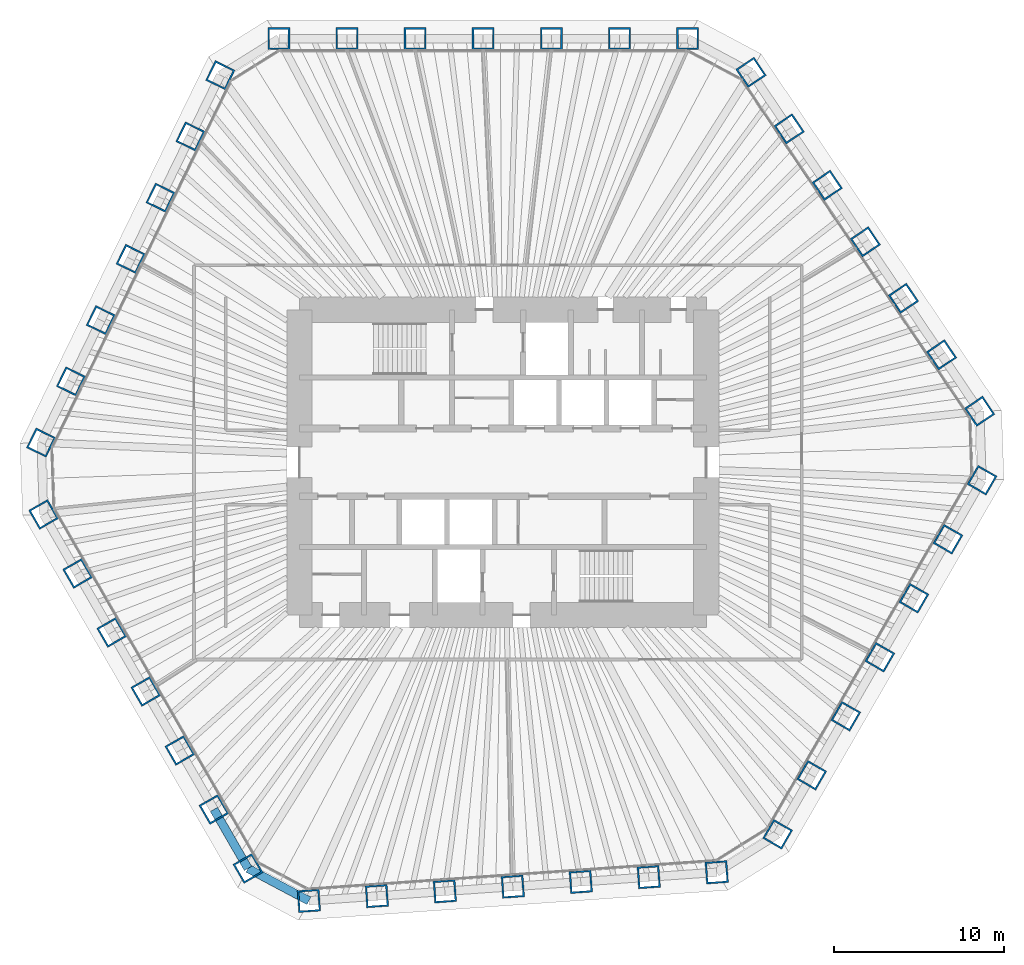
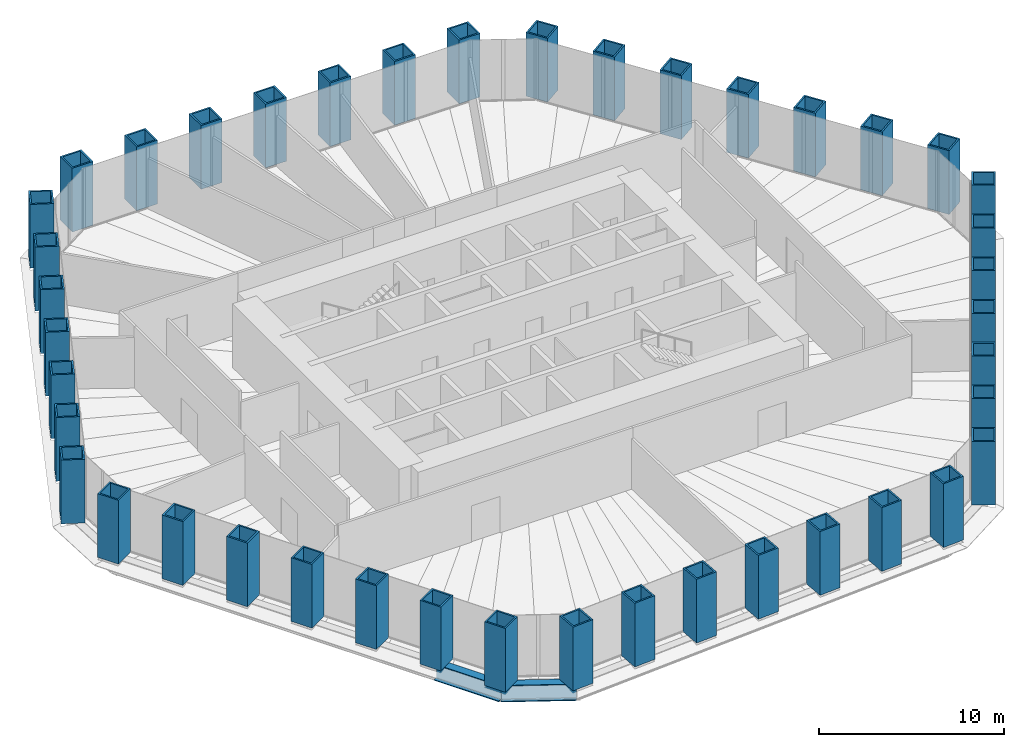
# One storey, part 1 of 13: 42 columns, 2 beams.
"""IFC4 building model written with IfcOpenShell, lengths in metres."""

from ifc_helpers import new_model, si_unit, direction, frame, origin, origin_2d, place, context, subcontext, project, spatial, hollow_rectangle, i_section, extrude, material, material_profile, profile_set, type_object, element, save


model = new_model("IFC4")

# Units and contexts
model_context = context("Model", 3, precision=1e-05, world=origin(), true_north=direction((0.0, 1.0)))
body_context = subcontext(model_context, "Body", "Model", "MODEL_VIEW")
ifc_project = project(units=[si_unit("LENGTHUNIT", "METRE"), si_unit("AREAUNIT", "SQUARE_METRE"), si_unit("VOLUMEUNIT", "CUBIC_METRE"), si_unit("PLANEANGLEUNIT", "RADIAN"), si_unit("MASSUNIT", "GRAM", prefix="KILO")], contexts=[model_context])

# Site, building, storey
site_placement = place(None, origin())
site = spatial("IfcSite", under=ifc_project, at=site_placement, CompositionType="ELEMENT")
building_placement = place(site_placement, origin())
building = spatial("IfcBuilding", under=site, at=building_placement, Name="Qingtian Harvest Tower", CompositionType="ELEMENT")
storey_placement = place(building_placement, frame((0.0, 0.0, 140.800048828125)))
storey = spatial("IfcBuildingStorey", under=building, at=storey_placement, Name="L29", CompositionType="ELEMENT", Elevation=140.800048828125)

# Columns
ifc_material_1 = material(Name="Steel SM570MC", Category="steel")
ifc_material_profile_1 = material_profile(ifc_material_1, hollow_rectangle(XDim=1.300048828125, YDim=1.300048828125, WallThickness=0.10009765625, at=origin_2d()), Name="BOX1300x1300x100")
ifc_profile_set_1 = profile_set([ifc_material_profile_1], Name="Steel SM570MC")
column_type = type_object("IfcColumnType", Name="Tube column TC4 BOX1300x1300x100", PredefinedType="COLUMN", material=ifc_profile_set_1)
for number, where, z_axis, x_axis, name in (
    (1, (-13.2216796875, 25.0, 0.0), (0.0, 0.0, 1.0), (-1.0, 0.0, 0.0), "Tube column TC4 N0"),
    (2, (-9.20263671875, 25.0, 0.0), (0.0, 0.0, 1.0), (-1.0, 0.0, 0.0), "Tube column TC4 N1"),
    (3, (-5.18359375, 25.0, 0.0), (0.0, 0.0, 1.0), (-1.0, 0.0, 0.0), "Tube column TC4 N2"),
    (4, (-1.16455078125, 25.0, 0.0), (0.0, 0.0, 1.0), (-1.0, 0.0, 0.0), "Tube column TC4 N3"),
    (5, (2.8544921875, 25.0, 0.0), (0.0, 0.0, 1.0), (-1.0, 0.0, 0.0), "Tube column TC4 N4"),
    (6, (6.873779296875, 25.0, 0.0), (0.0, 0.0, 1.0), (-1.0, 0.0, 0.0), "Tube column TC4 N5"),
    (7, (10.892822265625, 25.0, 0.0), (0.0, 0.0, 1.0), (-1.0, 0.0, 0.0), "Tube column TC4 N6"),
    (8, (14.634765625, 23.01025390625, 0.0), (0.0, 0.0, 1.0), (-0.559192903471, 0.829037572555, 0.0), "Tube column TC4 NE0"),
    (9, (16.88232421875, 19.67822265625, 0.0), (0.0, 0.0, 1.0), (-0.559192903471, 0.829037572555, 0.0), "Tube column TC4 NE1"),
    (10, (19.129638671875, 16.346435546875, 0.0), (0.0, 0.0, 1.0), (-0.559192903471, 0.829037572555, 0.0), "Tube column TC4 NE2"),
    (11, (21.377197265625, 13.014404296875, 0.0), (0.0, 0.0, 1.0), (-0.559192903471, 0.829037572555, 0.0), "Tube column TC4 NE3"),
    (12, (23.62451171875, 9.682373046875, 0.0), (0.0, 0.0, 1.0), (-0.559192903471, 0.829037572555, 0.0), "Tube column TC4 NE4"),
    (13, (25.8720703125, 6.3505859375, 0.0), (0.0, 0.0, 1.0), (-0.559192903471, 0.829037572555, 0.0), "Tube column TC4 NE5"),
    (14, (28.119384765625, 3.0185546875, 0.0), (0.0, 0.0, 1.0), (-0.559192903471, 0.829037572555, 0.0), "Tube column TC4 NE6"),
    (15, (28.261474609375, -1.049560546875, 0.0), (0.0, 0.0, 1.0), (0.5, 0.866025403784, 0.0), "Tube column TC4 SE0"),
    (16, (26.251953125, -4.5302734375, 0.0), (0.0, 0.0, 1.0), (0.5, 0.866025403784, 0.0), "Tube column TC4 SE1"),
    (17, (24.242431640625, -8.010986328125, 0.0), (0.0, 0.0, 1.0), (0.5, 0.866025403784, 0.0), "Tube column TC4 SE2"),
    (18, (22.23291015625, -11.491455078125, 0.0), (0.0, 0.0, 1.0), (0.5, 0.866025403784, 0.0), "Tube column TC4 SE3"),
    (19, (20.223388671875, -14.97216796875, 0.0), (0.0, 0.0, 1.0), (0.5, 0.866025403784, 0.0), "Tube column TC4 SE4"),
    (20, (18.2138671875, -18.452880859375, 0.0), (0.0, 0.0, 1.0), (0.5, 0.866025403784, 0.0), "Tube column TC4 SE5"),
    (21, (16.204345703125, -21.933349609375, 0.0), (0.0, 0.0, 1.0), (0.5, 0.866025403784, 0.0), "Tube column TC4 SE6"),
    (22, (12.610107421875, -24.17919921875, 0.0), (0.0, 0.0, 1.0), (0.99756405026, 0.069756473744, 0.0), "Tube column TC4 S0"),
    (23, (8.600830078125, -24.459716796875, 0.0), (0.0, 0.0, 1.0), (0.99756405026, 0.069756473744, 0.0), "Tube column TC4 S1"),
    (24, (4.591552734375, -24.739990234375, 0.0), (0.0, 0.0, 1.0), (0.99756405026, 0.069756473744, 0.0), "Tube column TC4 S2"),
    (25, (0.582275390625, -25.020263671875, 0.0), (0.0, 0.0, 1.0), (0.99756405026, 0.069756473744, 0.0), "Tube column TC4 S3"),
    (26, (-3.427001953125, -25.30078125, 0.0), (0.0, 0.0, 1.0), (0.99756405026, 0.069756473744, 0.0), "Tube column TC4 S4"),
    (27, (-7.436279296875, -25.5810546875, 0.0), (0.0, 0.0, 1.0), (0.99756405026, 0.069756473744, 0.0), "Tube column TC4 S5"),
    (28, (-11.445556640625, -25.861328125, 0.0), (0.0, 0.0, 1.0), (0.99756405026, 0.069756473744, 0.0), "Tube column TC4 S6"),
    (29, (-15.039794921875, -23.950439453125, 0.0), (0.0, 0.0, 1.0), (0.5, -0.866025403784, 0.0), "Tube column TC4 SW0"),
    (30, (-17.04931640625, -20.4697265625, 0.0), (0.0, 0.0, 1.0), (0.5, -0.866025403784, 0.0), "Tube column TC4 SW1"),
    (31, (-19.058837890625, -16.989013671875, 0.0), (0.0, 0.0, 1.0), (0.5, -0.866025403784, 0.0), "Tube column TC4 SW2"),
    (32, (-21.068359375, -13.508544921875, 0.0), (0.0, 0.0, 1.0), (0.5, -0.866025403784, 0.0), "Tube column TC4 SW3"),
    (33, (-23.077880859375, -10.02783203125, 0.0), (0.0, 0.0, 1.0), (0.5, -0.866025403784, 0.0), "Tube column TC4 SW4"),
    (34, (-25.08740234375, -6.547119140625, 0.0), (0.0, 0.0, 1.0), (0.5, -0.866025403784, 0.0), "Tube column TC4 SW5"),
    (35, (-27.096923828125, -3.066650390625, 0.0), (0.0, 0.0, 1.0), (0.5, -0.866025403784, 0.0), "Tube column TC4 SW6"),
    (36, (-27.244873046875, 1.1689453125, 0.0), (0.0, 0.0, 1.0), (-0.438371146789, -0.898794046299, 0.0), "Tube column TC4 NW0"),
    (37, (-25.483154296875, 4.78125, 0.0), (0.0, 0.0, 1.0), (-0.438371146789, -0.898794046299, 0.0), "Tube column TC4 NW1"),
    (38, (-23.72119140625, 8.3935546875, 0.0), (0.0, 0.0, 1.0), (-0.438371146789, -0.898794046299, 0.0), "Tube column TC4 NW2"),
    (39, (-21.95947265625, 12.005859375, 0.0), (0.0, 0.0, 1.0), (-0.438371146789, -0.898794046299, 0.0), "Tube column TC4 NW3"),
    (40, (-20.197509765625, 15.6181640625, 0.0), (0.0, 0.0, 1.0), (-0.438371146789, -0.898794046299, 0.0), "Tube column TC4 NW4"),
    (41, (-18.435791015625, 19.23046875, 0.0), (0.0, 0.0, 1.0), (-0.438371146789, -0.898794046299, 0.0), "Tube column TC4 NW5"),
    (42, (-16.673828125, 22.8427734375, 0.0), (0.0, 0.0, 1.0), (-0.438371146789, -0.898794046299, 0.0), "Tube column TC4 NW6"),
):
    element("IfcColumn", number, at=place(storey_placement, frame(where, z_axis=z_axis, x_axis=x_axis)), inside=storey, type_object=column_type, Name=name, PredefinedType="COLUMN", context=body_context, shape_type="SweptSolid", body=[
        extrude(hollow_rectangle(XDim=1.300048828125, YDim=1.300048828125, WallThickness=0.10009765625, at=origin_2d()), origin(), (0.0, 0.0, 1.0), 4.199951171875),
    ])

# Beams
ifc_material_2 = material(Name="Steel SM570MC", Category="steel")
ifc_material_profile_2 = material_profile(ifc_material_2, i_section(OverallWidth=0.5, OverallDepth=1.10009765625, WebThickness=0.02490234375, FlangeThickness=0.050048828125, at=origin_2d()), Name="H1100x500x25x50")
ifc_profile_set_2 = profile_set([ifc_material_profile_2], Name="Steel SM570MC")
beam_type = type_object("IfcBeamType", Name="Spandrel beam SB2 H1100x500x25x50", PredefinedType="SPANDREL", material=ifc_profile_set_2)
beam_1_placement = place(storey_placement, frame((-11.445556640625, -25.861328125, -0.550048828125), z_axis=(-0.882968133669, 0.469432929101, 0.0), x_axis=(-0.469432929101, -0.882968133669, 0.0)))
element("IfcBeam", 43, at=beam_1_placement, inside=storey, type_object=beam_type, Name="Spandrel SB2 SC", PredefinedType="SPANDREL", context=body_context, shape_type="SweptSolid", body=[
    extrude(i_section(OverallWidth=0.5, OverallDepth=1.10009765625, WebThickness=0.02490234375, FlangeThickness=0.050048828125, at=origin_2d()), origin(), (0.0, 0.0, 1.0), 4.070556640625),
])
beam_2_placement = place(storey_placement, frame((-15.039794921875, -23.950439453125, -0.550048828125), z_axis=(-0.499987116613, 0.866032841884, 0.0), x_axis=(-0.866032841884, -0.499987116613, 0.0)))
element("IfcBeam", 44, at=beam_2_placement, inside=storey, type_object=beam_type, Name="Spandrel SB2 SW0", PredefinedType="SPANDREL", context=body_context, shape_type="SweptSolid", body=[
    extrude(i_section(OverallWidth=0.5, OverallDepth=1.10009765625, WebThickness=0.02490234375, FlangeThickness=0.050048828125, at=origin_2d()), origin(), (0.0, 0.0, 1.0), 4.01904296875),
])

save(model, "model.ifc")
